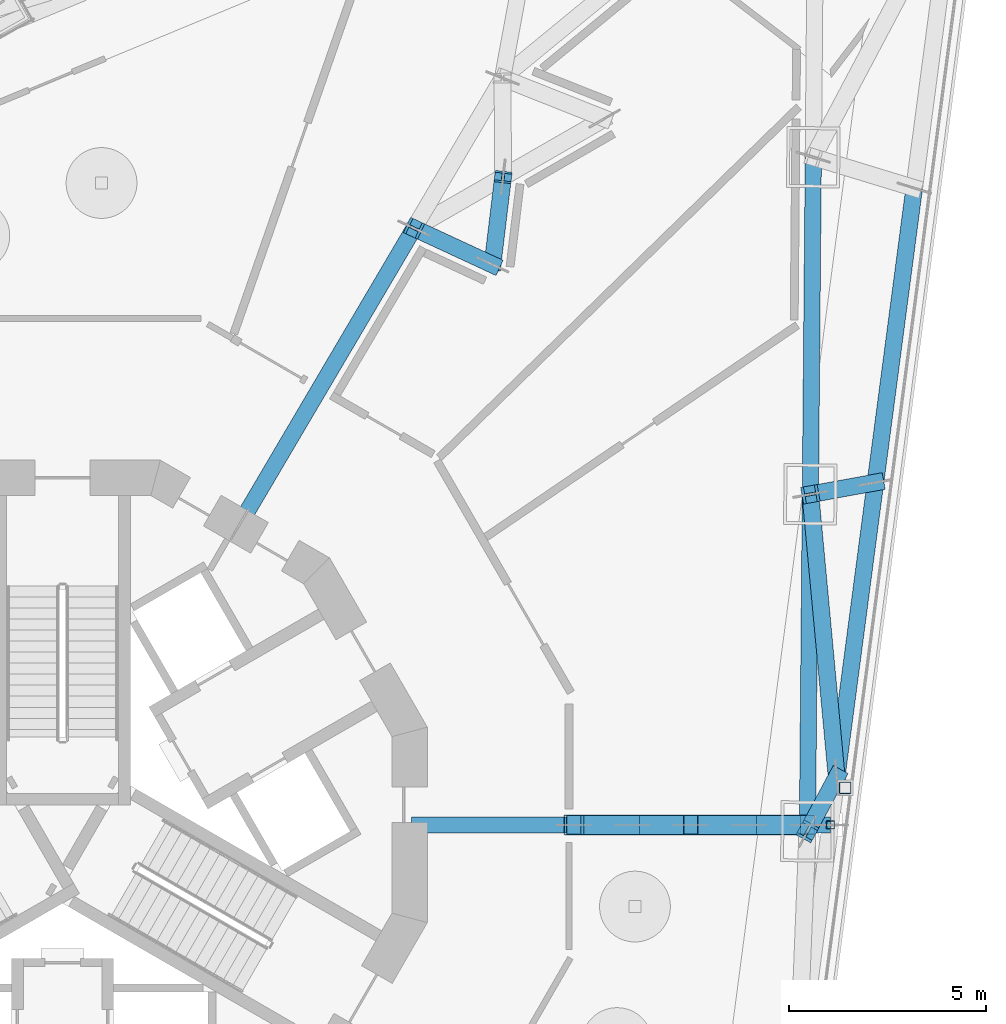
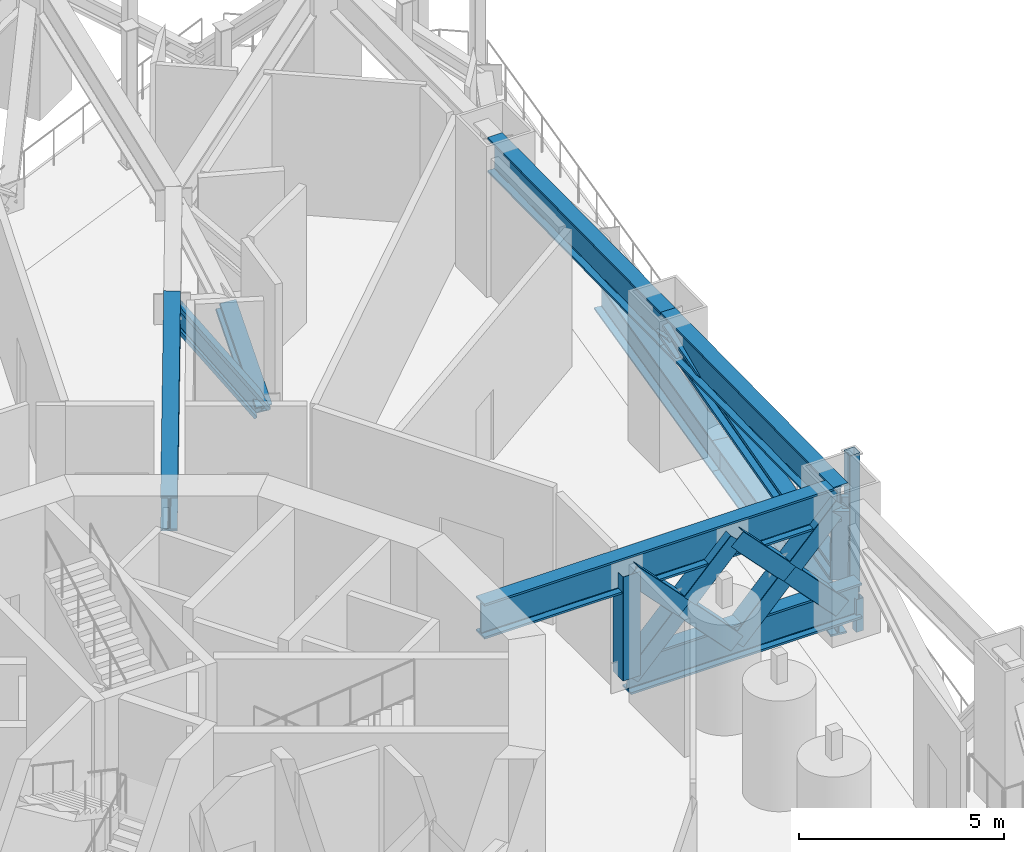
# One storey, part 6 of 23: 20 members, 1 beam.
"""IFC4 building model written with IfcOpenShell, lengths in metres."""

from ifc_helpers import new_model, si_unit, direction, frame, origin, origin_2d, place, context, subcontext, project, spatial, hollow_rectangle, i_section, extrude, material, material_profile, profile_set, type_object, element, save


model = new_model("IFC4")

# Units and contexts
model_context = context("Model", 3, precision=1e-05, world=origin(), true_north=direction((0.0, 1.0)))
body_context = subcontext(model_context, "Body", "Model", "MODEL_VIEW")
ifc_project = project(units=[si_unit("LENGTHUNIT", "METRE"), si_unit("AREAUNIT", "SQUARE_METRE"), si_unit("VOLUMEUNIT", "CUBIC_METRE"), si_unit("PLANEANGLEUNIT", "RADIAN"), si_unit("MASSUNIT", "GRAM", prefix="KILO")], contexts=[model_context])

# Site, building, storey
site_placement = place(None, origin())
site = spatial("IfcSite", under=ifc_project, at=site_placement, CompositionType="ELEMENT")
building_placement = place(site_placement, origin())
building = spatial("IfcBuilding", under=site, at=building_placement, Name="Trine Commons Tower", CompositionType="ELEMENT")
storey_placement = place(building_placement, frame((0.0, 0.0, 156.60009765625)))
storey = spatial("IfcBuildingStorey", under=building, at=storey_placement, Name="L40", CompositionType="ELEMENT", Elevation=156.60009765625)

# Beam
ifc_material_1 = material(Name="Structural steel ASTM A992 Gr50", Category="steel")
ifc_material_profile_1 = material_profile(ifc_material_1, i_section(OverallWidth=0.412841796875, OverallDepth=1.0478515625, WebThickness=0.033935546875, FlangeThickness=0.059814453125, FilletRadius=0.030029296875, at=origin_2d()), Name="W40X431")
ifc_profile_set_1 = profile_set([ifc_material_profile_1], Name="Structural steel ASTM A992 Gr50")
beam_type = type_object("IfcBeamType", Name="Steel beam W40X431, ASTM A992 Gr50", PredefinedType="BEAM", material=ifc_profile_set_1)
beam_placement = place(storey_placement, frame((84.50341796875, 70.1455078125, 3.6259765625), z_axis=(0.507555189732, 0.861619248494, 0.0), x_axis=(-0.861619248494, 0.507555189732, 0.0)))
element("IfcBeam", 1, at=beam_placement, inside=storey, type_object=beam_type, Name="Transfer truss girder T4-UR-03", PredefinedType="BEAM", context=body_context, shape_type="SweptSolid", body=[
    extrude(i_section(OverallWidth=0.412841796875, OverallDepth=1.0478515625, WebThickness=0.033935546875, FlangeThickness=0.059814453125, FilletRadius=0.030029296875, at=origin_2d()), origin(), (0.0, 0.0, 1.0), 8.732421875),
])

# Members
ifc_material_2 = material(Name="Structural steel ASTM A500 Gr C", Category="steel")
ifc_material_profile_2 = material_profile(ifc_material_2, hollow_rectangle(XDim=0.508056640625, YDim=0.508056640625, WallThickness=0.014892578125, InnerFilletRadius=0.00732421875, OuterFilletRadius=0.022216796875, at=origin_2d()), Name="HSS20X20X5/8")
ifc_profile_set_2 = profile_set([ifc_material_profile_2], Name="Structural steel ASTM A500 Gr C")
member_type_1 = type_object("IfcMemberType", Name="Steel brace HSS20X20X5/8, ASTM A500 Gr C", PredefinedType="BRACE", material=ifc_profile_set_2)
member_1_placement = place(storey_placement, frame((93.0, 62.5, 0.523681640625), z_axis=(0.691414963491, 0.0, 0.722457852239), x_axis=(0.0, 1.0, 0.0)))
element("IfcMember", 2, at=member_1_placement, inside=storey, type_object=member_type_1, Name="Outrigger truss brace T4-OB-09", PredefinedType="BRACE", context=body_context, shape_type="SweptSolid", body=[
    extrude(hollow_rectangle(XDim=0.508056640625, YDim=0.508056640625, WallThickness=0.014892578125, InnerFilletRadius=0.00732421875, OuterFilletRadius=0.022216796875, at=origin_2d()), origin(), (0.0, 0.0, 1.0), 4.294189453125),
])
for number, where, z_axis, x_axis, name in (
    (3, (93.0, 62.5, 3.6259765625), (0.691473036777, 0.0, -0.722402269799), (0.0, 1.0, 0.0), "Outrigger truss brace T4-OB-10a"),
    (4, (94.484619140625, 62.5, 2.074951171875), (0.691356885941, 0.0, -0.722513429814), (0.0, 1.0, 0.0), "Outrigger truss brace T4-OB-10b"),
):
    element("IfcMember", number, at=place(storey_placement, frame(where, z_axis=z_axis, x_axis=x_axis)), inside=storey, type_object=member_type_1, Name=name, PredefinedType="BRACE", context=body_context, shape_type="SweptSolid", body=[
        extrude(hollow_rectangle(XDim=0.508056640625, YDim=0.508056640625, WallThickness=0.014892578125, InnerFilletRadius=0.00732421875, OuterFilletRadius=0.022216796875, at=origin_2d()), origin(), (0.0, 0.0, 1.0), 2.14697265625),
    ])
member_2_placement = place(storey_placement, frame((95.968994140625, 62.5, 0.523681640625), z_axis=(0.691444637, 0.0, 0.722429452586), x_axis=(0.0, 1.0, 0.0)))
element("IfcMember", 5, at=member_2_placement, inside=storey, type_object=member_type_1, Name="Outrigger truss brace T4-OB-11", PredefinedType="BRACE", context=body_context, shape_type="SweptSolid", body=[
    extrude(hollow_rectangle(XDim=0.508056640625, YDim=0.508056640625, WallThickness=0.014892578125, InnerFilletRadius=0.00732421875, OuterFilletRadius=0.022216796875, at=origin_2d()), origin(), (0.0, 0.0, 1.0), 4.294189453125),
])
member_3_placement = place(storey_placement, frame((95.968994140625, 62.5, 3.6259765625), z_axis=(0.691473036777, 0.0, -0.722402269799), x_axis=(0.0, 1.0, 0.0)))
element("IfcMember", 6, at=member_3_placement, inside=storey, type_object=member_type_1, Name="Outrigger truss brace T4-OB-12a", PredefinedType="BRACE", context=body_context, shape_type="SweptSolid", body=[
    extrude(hollow_rectangle(XDim=0.508056640625, YDim=0.508056640625, WallThickness=0.014892578125, InnerFilletRadius=0.00732421875, OuterFilletRadius=0.022216796875, at=origin_2d()), origin(), (0.0, 0.0, 1.0), 2.14697265625),
])
member_4_placement = place(storey_placement, frame((97.45361328125, 62.5, 2.074951171875), z_axis=(0.691416238487, 0.0, -0.722456632025), x_axis=(0.0, 1.0, 0.0)))
element("IfcMember", 7, at=member_4_placement, inside=storey, type_object=member_type_1, Name="Outrigger truss brace T4-OB-12b", PredefinedType="BRACE", context=body_context, shape_type="SweptSolid", body=[
    extrude(hollow_rectangle(XDim=0.508056640625, YDim=0.508056640625, WallThickness=0.014892578125, InnerFilletRadius=0.00732421875, OuterFilletRadius=0.022216796875, at=origin_2d()), origin(), (0.0, 0.0, 1.0), 2.147216796875),
])
ifc_material_profile_3 = material_profile(ifc_material_1, i_section(OverallWidth=0.4287109375, OverallDepth=0.482666015625, WebThickness=0.05126953125, FlangeThickness=0.08154296875, FilletRadius=0.015380859375, at=origin_2d()), Name="W14X455")
ifc_profile_set_3 = profile_set([ifc_material_profile_3], Name="Structural steel ASTM A992 Gr50")
member_type_2 = type_object("IfcMemberType", Name="Steel brace W14X455, ASTM A992 Gr50", PredefinedType="BRACE", material=ifc_profile_set_3)
member_5_placement = place(storey_placement, frame((100.666259765625, 71.204833984375, 0.482421875), z_axis=(-0.464105052791, -0.084096356032, 0.88177905559), x_axis=(0.178297662845, -0.98397659699, 0.0)))
element("IfcMember", 8, at=member_5_placement, inside=storey, type_object=member_type_2, Name="Belt truss brace T4-DG-33", PredefinedType="BRACE", context=body_context, shape_type="SweptSolid", body=[
    extrude(i_section(OverallWidth=0.4287109375, OverallDepth=0.482666015625, WebThickness=0.05126953125, FlangeThickness=0.08154296875, FilletRadius=0.015380859375, at=origin_2d()), origin(), (0.0, 0.0, 1.0), 3.56494140625),
])
member_6_placement = place(storey_placement, frame((99.680419921875, 63.717529296875, 0.482421875), z_axis=(-0.084932494719, 0.912892531775, 0.39926644834), x_axis=(-0.99569998274, -0.092636625432, 0.0)))
element("IfcMember", 9, at=member_6_placement, inside=storey, type_object=member_type_2, Name="Belt truss brace T4-DG-34", PredefinedType="BRACE", context=body_context, shape_type="SweptSolid", body=[
    extrude(i_section(OverallWidth=0.4287109375, OverallDepth=0.482666015625, WebThickness=0.05126953125, FlangeThickness=0.08154296875, FilletRadius=0.015380859375, at=origin_2d()), origin(), (0.0, 0.0, 1.0), 7.873291015625),
])
member_7_placement = place(storey_placement, frame((99.680419921875, 63.717529296875, 0.482421875), z_axis=(-0.211634771422, -0.393532286715, 0.894618948401), x_axis=(0.880720624925, -0.473636127034, 0.0)))
element("IfcMember", 10, at=member_7_placement, inside=storey, type_object=member_type_2, Name="Belt truss brace T4-DG-35", PredefinedType="BRACE", context=body_context, shape_type="SweptSolid", body=[
    extrude(i_section(OverallWidth=0.4287109375, OverallDepth=0.482666015625, WebThickness=0.05126953125, FlangeThickness=0.08154296875, FilletRadius=0.015380859375, at=origin_2d()), origin(), (0.0, 0.0, 1.0), 3.513916015625),
])
member_8_placement = place(storey_placement, frame((90.93017578125, 76.744384765625, 0.482421875), z_axis=(-0.519953287678, 0.241138678949, 0.819451472723), x_axis=(-0.420726302682, -0.907187620193, 0.0)))
element("IfcMember", 11, at=member_8_placement, inside=storey, type_object=member_type_2, Name="Belt truss brace T4-DG-47", PredefinedType="BRACE", context=body_context, shape_type="SweptSolid", body=[
    extrude(i_section(OverallWidth=0.4287109375, OverallDepth=0.482666015625, WebThickness=0.05126953125, FlangeThickness=0.08154296875, FilletRadius=0.015380859375, at=origin_2d()), origin(), (0.0, 0.0, 1.0), 3.836181640625),
])
member_9_placement = place(storey_placement, frame((90.93017578125, 76.744384765625, 0.482421875), z_axis=(0.095808681194, 0.795586919539, 0.598215805597), x_axis=(-0.992826817242, 0.119561327213, 0.0)))
element("IfcMember", 12, at=member_9_placement, inside=storey, type_object=member_type_2, Name="Belt truss brace T4-DG-50a", PredefinedType="BRACE", context=body_context, shape_type="SweptSolid", body=[
    extrude(i_section(OverallWidth=0.4287109375, OverallDepth=0.482666015625, WebThickness=0.05126953125, FlangeThickness=0.08154296875, FilletRadius=0.015380859375, at=origin_2d()), origin(), (0.0, 0.0, 1.0), 2.800537109375),
])
ifc_material_profile_4 = material_profile(ifc_material_1, i_section(OverallWidth=0.42529296875, OverallDepth=0.965087890625, WebThickness=0.0283203125, FlangeThickness=0.051025390625, FilletRadius=0.024169921875, at=origin_2d()), Name="W36X361")
ifc_profile_set_4 = profile_set([ifc_material_profile_4], Name="Structural steel ASTM A992 Gr50")
member_type_3 = type_object("IfcMemberType", Name="Steel chord W36X361, ASTM A992 Gr50", PredefinedType="CHORD", material=ifc_profile_set_4)
for number, where, z_axis, x_axis, name in (
    (13, (101.652099609375, 78.692138671875, -0.9326171875), (-0.130541483651, -0.991442848099, 0.0), (0.991442848099, -0.130541483651, 0.0), "Belt truss chord T4-LC-16"),
    (14, (100.666259765625, 71.204833984375, -0.9326171875), (-0.130541483651, -0.991442848099, 0.0), (0.991442848099, -0.130541483651, 0.0), "Belt truss chord T4-LC-17"),
):
    element("IfcMember", number, at=place(storey_placement, frame(where, z_axis=z_axis, x_axis=x_axis)), inside=storey, type_object=member_type_3, Name=name, PredefinedType="CHORD", context=body_context, shape_type="SweptSolid", body=[
        extrude(i_section(OverallWidth=0.42529296875, OverallDepth=0.965087890625, WebThickness=0.0283203125, FlangeThickness=0.051025390625, FilletRadius=0.024169921875, at=origin_2d()), origin(), (0.0, 0.0, 1.0), 7.552001953125),
    ])
ifc_material_profile_5 = material_profile(ifc_material_1, i_section(OverallWidth=0.412841796875, OverallDepth=1.0478515625, WebThickness=0.033935546875, FlangeThickness=0.059814453125, FilletRadius=0.030029296875, at=origin_2d()), Name="W40X431")
ifc_profile_set_5 = profile_set([ifc_material_profile_5], Name="Structural steel ASTM A992 Gr50")
member_type_4 = type_object("IfcMemberType", Name="Steel chord W40X431, ASTM A992 Gr50", PredefinedType="CHORD", material=ifc_profile_set_5)
for number, where, z_axis, x_axis, name in (
    (15, (99.08642578125, 79.475341796875, 3.6259765625), (-0.008716624171, -0.99996200951, 0.0), (0.99996200951, -0.008716624171, 0.0), "Belt truss chord T4-UC-14"),
    (16, (99.01171875, 70.905029296875, 3.6259765625), (-0.008745107696, -0.999961760815, 0.0), (0.999961760815, -0.008745107696, 0.0), "Belt truss chord T4-UC-15"),
):
    element("IfcMember", number, at=place(storey_placement, frame(where, z_axis=z_axis, x_axis=x_axis)), inside=storey, type_object=member_type_4, Name=name, PredefinedType="CHORD", context=body_context, shape_type="SweptSolid", body=[
        extrude(i_section(OverallWidth=0.412841796875, OverallDepth=1.0478515625, WebThickness=0.033935546875, FlangeThickness=0.059814453125, FilletRadius=0.030029296875, at=origin_2d()), origin(), (0.0, 0.0, 1.0), 8.570556640625),
    ])
member_10_placement = place(storey_placement, frame((93.0, 62.5, 0.523681640625), z_axis=(1.0, 0.0, 0.0), x_axis=(0.0, 1.0, 0.0)))
element("IfcMember", 17, at=member_10_placement, inside=storey, type_object=member_type_4, Name="Outrigger truss chord T4-OL-03", PredefinedType="CHORD", context=body_context, shape_type="SweptSolid", body=[
    extrude(i_section(OverallWidth=0.412841796875, OverallDepth=1.0478515625, WebThickness=0.033935546875, FlangeThickness=0.059814453125, FilletRadius=0.030029296875, at=origin_2d()), origin(), (0.0, 0.0, 1.0), 6.520263671875),
])
member_11_placement = place(storey_placement, frame((88.872802734375, 62.5, 3.6259765625), z_axis=(1.0, 0.0, 0.0), x_axis=(0.0, 1.0, 0.0)))
element("IfcMember", 18, at=member_11_placement, inside=storey, type_object=member_type_4, Name="Outrigger truss chord T4-OU-03", PredefinedType="CHORD", context=body_context, shape_type="SweptSolid", body=[
    extrude(i_section(OverallWidth=0.412841796875, OverallDepth=1.0478515625, WebThickness=0.033935546875, FlangeThickness=0.059814453125, FilletRadius=0.030029296875, at=origin_2d()), origin(), (0.0, 0.0, 1.0), 10.0654296875),
])
ifc_material_profile_6 = material_profile(ifc_material_2, hollow_rectangle(XDim=0.3046875, YDim=0.3046875, WallThickness=0.014892578125, InnerFilletRadius=0.00732421875, OuterFilletRadius=0.022216796875, at=origin_2d()), Name="HSS12X12X5/8")
ifc_profile_set_6 = profile_set([ifc_material_profile_6], Name="Structural steel ASTM A500 Gr C")
member_type_5 = type_object("IfcMemberType", Name="Steel post HSS12X12X5/8, ASTM A500 Gr C", PredefinedType="POST", material=ifc_profile_set_6)
member_12_placement = place(storey_placement, frame((99.896484375, 63.44287109375, 0.0), z_axis=(0.0, 0.0, 1.0), x_axis=(1.0, 0.0, 0.0)))
element("IfcMember", 19, at=member_12_placement, inside=storey, type_object=member_type_5, Name="Roof post SP4-63", PredefinedType="POST", context=body_context, shape_type="SweptSolid", body=[
    extrude(hollow_rectangle(XDim=0.3046875, YDim=0.3046875, WallThickness=0.014892578125, InnerFilletRadius=0.00732421875, OuterFilletRadius=0.022216796875, at=origin_2d()), origin(), (0.0, 0.0, 1.0), 4.14990234375),
])
ifc_material_profile_7 = material_profile(ifc_material_2, hollow_rectangle(XDim=0.508056640625, YDim=0.508056640625, WallThickness=0.014892578125, InnerFilletRadius=0.00732421875, OuterFilletRadius=0.022216796875, at=origin_2d()), Name="HSS20X20X5/8")
ifc_profile_set_7 = profile_set([ifc_material_profile_7], Name="Structural steel ASTM A500 Gr C")
member_type_6 = type_object("IfcMemberType", Name="Steel post HSS20X20X5/8, ASTM A500 Gr C", PredefinedType="POST", material=ifc_profile_set_7)
member_13_placement = place(storey_placement, frame((93.0, 62.5, 0.523681640625), z_axis=(0.0, 0.0, 1.0), x_axis=(1.0, 0.0, 0.0)))
element("IfcMember", 20, at=member_13_placement, inside=storey, type_object=member_type_6, Name="Outrigger truss post T4-OP-03", PredefinedType="POST", context=body_context, shape_type="SweptSolid", body=[
    extrude(hollow_rectangle(XDim=0.508056640625, YDim=0.508056640625, WallThickness=0.014892578125, InnerFilletRadius=0.00732421875, OuterFilletRadius=0.022216796875, at=origin_2d()), origin(), (0.0, 0.0, 1.0), 3.102294921875),
])
ifc_material_profile_8 = material_profile(ifc_material_2, hollow_rectangle(XDim=0.203125, YDim=0.203125, WallThickness=0.0087890625, InnerFilletRadius=0.00439453125, OuterFilletRadius=0.013427734375, at=origin_2d()), Name="HSS8X8X3/8")
ifc_profile_set_8 = profile_set([ifc_material_profile_8], Name="Structural steel ASTM A500 Gr C")
member_type_7 = type_object("IfcMemberType", Name="Steel post HSS8X8X3/8, ASTM A500 Gr C", PredefinedType="POST", material=ifc_profile_set_8)
member_14_placement = place(storey_placement, frame((99.520263671875, 62.5, -0.4501953125), z_axis=(0.0, 0.0, 1.0), x_axis=(1.0, 0.0, 0.0)))
element("IfcMember", 21, at=member_14_placement, inside=storey, type_object=member_type_7, Name="Outrigger truss post T4-OS-03", PredefinedType="POST", context=body_context, shape_type="SweptSolid", body=[
    extrude(hollow_rectangle(XDim=0.203125, YDim=0.203125, WallThickness=0.0087890625, InnerFilletRadius=0.00439453125, OuterFilletRadius=0.013427734375, at=origin_2d()), origin(), (0.0, 0.0, 1.0), 0.973876953125),
])

save(model, "model.ifc")
